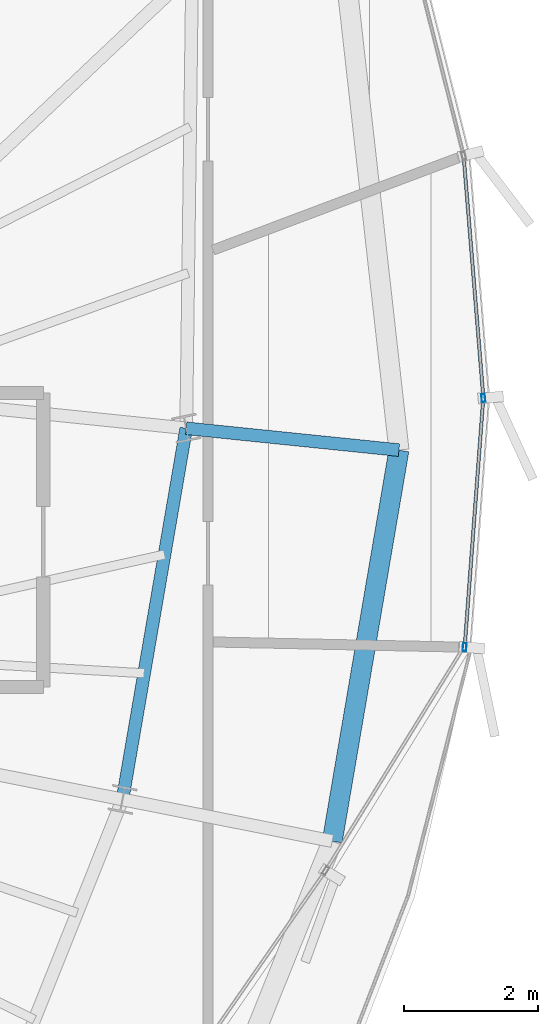
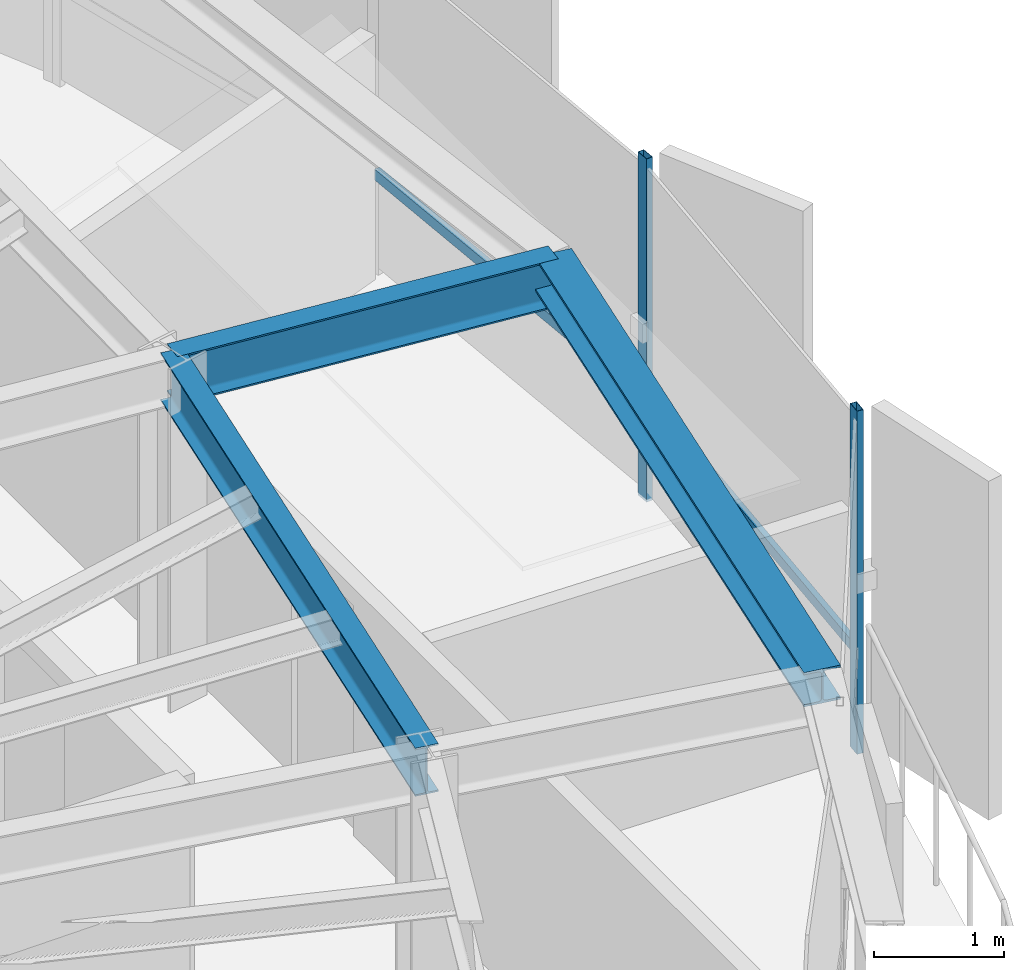
# One storey, part 15 of 30: 4 members, 3 beams, 1 element without a shape of its own.
"""IFC4 building model written with IfcOpenShell, lengths in metres."""

from ifc_helpers import new_model, si_unit, direction, frame, origin, origin_2d, place, context, subcontext, project, spatial, hollow_rectangle, i_section, extrude, source, transform, mapped, material, layer, layer_set, material_profile, profile_set, type_object, element, aggregate, save


model = new_model("IFC4")

# Units and contexts
model_context = context("Model", 3, precision=1e-05, world=origin(), true_north=direction((0.0, 1.0)))
body_context = subcontext(model_context, "Body", "Model", "MODEL_VIEW")
ifc_project = project(units=[si_unit("LENGTHUNIT", "METRE"), si_unit("AREAUNIT", "SQUARE_METRE"), si_unit("VOLUMEUNIT", "CUBIC_METRE"), si_unit("PLANEANGLEUNIT", "RADIAN"), si_unit("MASSUNIT", "GRAM", prefix="KILO"), si_unit("THERMODYNAMICTEMPERATUREUNIT", "KELVIN")], contexts=[model_context])

# Site, building, storey
site_placement = place(None, origin())
site = spatial("IfcSite", under=ifc_project, at=site_placement, CompositionType="ELEMENT")
building_placement = place(site_placement, origin())
building = spatial("IfcBuilding", under=site, at=building_placement, Name="Kethvar Cultural Tower", CompositionType="ELEMENT")
storey_placement = place(building_placement, frame((0.0, 0.0, 293.949951171875)))
storey = spatial("IfcBuildingStorey", under=building, at=storey_placement, Name="L78", CompositionType="ELEMENT", Elevation=293.949951171875)

# Beams
ifc_material_1 = material(Name="Steel S355J2", Category="steel")
ifc_material_profile_1 = material_profile(ifc_material_1, i_section(OverallWidth=0.18994140625, OverallDepth=0.449951171875, WebThickness=0.009521484375, FlangeThickness=0.0146484375, FilletRadius=0.02099609375, at=origin_2d()), Name="Steel S355J2 — IPE450")
ifc_profile_set_1 = profile_set([ifc_material_profile_1], Name="Steel S355J2 — IPE450")
beam_type_1 = type_object("IfcBeamType", Name="BM-IPE450", PredefinedType="BEAM", material=ifc_profile_set_1)
shared_shape_1 = source(origin(), body_context, "Body", "SweptSolid", [
    extrude(i_section(OverallWidth=0.18994140625, OverallDepth=0.449951171875, WebThickness=0.009521484375, FlangeThickness=0.0146484375, FilletRadius=0.02099609375, at=origin_2d()), origin(), (0.0, 0.0, 1.0), 3.199951171875),
])
beam_1_placement = place(storey_placement, frame((61.237060546875, 30.671630859375, 2.983154296875), z_axis=(0.994784019447, -0.10200369921, 0.0), x_axis=(0.10200369921, 0.994784019447, 0.0)))
element("IfcBeam", 1, at=beam_1_placement, inside=storey, type_object=beam_type_1, Name="L78 Perimeter Cantilever Beam RC-01", PredefinedType="BEAM", context=body_context, shape_type="MappedRepresentation", body=[
    mapped(shared_shape_1, transform((0.0, 0.0, 0.0), scale=1.0)),
])
shared_shape_2 = source(origin(), body_context, "Body", "SweptSolid", [
    extrude(i_section(OverallWidth=0.18994140625, OverallDepth=0.449951171875, WebThickness=0.009521484375, FlangeThickness=0.0146484375, FilletRadius=0.02099609375, at=origin_2d()), origin(), (0.0, 0.0, 1.0), 5.635009765625),
])
beam_2_placement = place(storey_placement, frame((60.28369140625, 25.117919921875, 2.983154296875), z_axis=(0.169188687614, 0.985583678834, 0.0), x_axis=(-0.985583678834, 0.169188687614, 0.0)))
element("IfcBeam", 2, at=beam_2_placement, inside=storey, type_object=beam_type_1, Name="L78 Column Ring Tie Beam CR-16", PredefinedType="BEAM", context=body_context, shape_type="MappedRepresentation", body=[
    mapped(shared_shape_2, transform((0.0, 0.0, 0.0), scale=1.0)),
])
ifc_material_profile_2 = material_profile(ifc_material_1, i_section(OverallWidth=0.300048828125, OverallDepth=0.320068359375, WebThickness=0.011474609375, FlangeThickness=0.0205078125, FilletRadius=0.027099609375, at=origin_2d()), Name="Steel S355J2 — HEB320")
ifc_profile_set_2 = profile_set([ifc_material_profile_2], Name="Steel S355J2 — HEB320")
beam_type_2 = type_object("IfcBeamType", Name="BM-SP320", PredefinedType="SPANDREL", material=ifc_profile_set_2)
shared_shape_3 = source(origin(), body_context, "Body", "SweptSolid", [
    extrude(i_section(OverallWidth=0.300048828125, OverallDepth=0.320068359375, WebThickness=0.011474609375, FlangeThickness=0.0205078125, FilletRadius=0.027099609375, at=origin_2d()), origin(), (0.0, 0.0, 1.0), 5.93603515625),
])
beam_3_placement = place(storey_placement, frame((63.422119140625, 24.49365234375, 3.048095703125), z_axis=(0.16817267321, 0.985757552335, 0.0), x_axis=(-0.985757552335, 0.16817267321, 0.0)))
element("IfcBeam", 3, at=beam_3_placement, inside=storey, type_object=beam_type_2, Name="L78 Perimeter Spandrel Beam SP-16", PredefinedType="SPANDREL", context=body_context, shape_type="MappedRepresentation", body=[
    mapped(shared_shape_3, transform((0.0, 0.0, 0.0), scale=1.0)),
])

# Curtain wall, members
ifc_material_2 = material(Name="Aluminium 6063-T6", Category="aluminium")
ifc_layer = layer(ifc_material_2, 0.179931640625, Name="Aluminium 6063-T6", Category="aluminium")
ifc_layer_set = layer_set([ifc_layer], Name="Aluminium 6063-T6 (180 mm)")
curtain_wall_type = type_object("IfcCurtainWallType", Name="CW-SYS-05-Z56", PredefinedType="NOTDEFINED", material=ifc_layer_set)
curtain_wall_placement = place(storey_placement, origin())
curtain_wall = element("IfcCurtainWall", 4, at=curtain_wall_placement, inside=storey, type_object=curtain_wall_type, Name="L78 Curtain Wall Run 06", PredefinedType="NOTDEFINED")
ifc_material_profile_3 = material_profile(ifc_material_2, hollow_rectangle(XDim=0.054931640625, YDim=0.1201171875, WallThickness=0.00390625, at=origin_2d()), Name="Aluminium 6063-T6 — RHS120x55x4")
ifc_profile_set_3 = profile_set([ifc_material_profile_3], Name="Aluminium 6063-T6 — RHS120x55x4")
member_type_1 = type_object("IfcMemberType", Name="CW-SYS-05-Z56-MUL", PredefinedType="MULLION", material=ifc_profile_set_3)
shared_shape_4 = source(origin(), body_context, "Body", "SweptSolid", [
    extrude(hollow_rectangle(XDim=0.054931640625, YDim=0.1201171875, WallThickness=0.00390625, at=origin_2d()), origin(), (0.0, 0.0, 1.0), 3.2099609375),
])
member_1_placement = place(storey_placement, frame((65.403564453125, 27.396240234375, 0.0), z_axis=(0.0, 0.0, 1.0), x_axis=(-0.997212547684, 0.074613234358, 0.0)))
member_1 = element("IfcMember", 5, at=member_1_placement, type_object=member_type_1, Name="CW-L78-R06 Mullion 4", PredefinedType="MULLION", context=body_context, shape_type="MappedRepresentation", body=[
    mapped(shared_shape_4, transform((0.0, 0.0, 0.0), scale=1.0)),
])
member_2_placement = place(storey_placement, frame((65.68359375, 31.124267578125, 0.0), z_axis=(0.0, 0.0, 1.0), x_axis=(-0.996701433778, -0.081155726265, 0.0)))
member_2 = element("IfcMember", 6, at=member_2_placement, type_object=member_type_1, Name="CW-L78-R06 Mullion 5", PredefinedType="MULLION", context=body_context, shape_type="MappedRepresentation", body=[
    mapped(shared_shape_4, transform((0.0, 0.0, 0.0), scale=1.0)),
])
ifc_material_profile_4 = material_profile(ifc_material_2, hollow_rectangle(XDim=0.050048828125, YDim=0.10009765625, WallThickness=0.00390625, at=origin_2d()), Name="Aluminium 6063-T6 — RHS100x50x4")
ifc_profile_set_4 = profile_set([ifc_material_profile_4], Name="Aluminium 6063-T6 — RHS100x50x4")
member_type_2 = type_object("IfcMemberType", Name="CW-SYS-05-Z56-TRN", PredefinedType="USERDEFINED", material=ifc_profile_set_4)
shared_shape_5 = source(origin(), body_context, "Body", "SweptSolid", [
    extrude(hollow_rectangle(XDim=0.050048828125, YDim=0.10009765625, WallThickness=0.00390625, at=origin_2d()), origin(), (0.0, 0.0, 1.0), 3.6748046875),
])
member_3_placement = place(storey_placement, frame((65.406494140625, 27.435791015625, 0.949951171875), z_axis=(0.074608268375, 0.997212919235, 0.0), x_axis=(-0.997212919235, 0.074608268375, 0.0)))
member_3 = element("IfcMember", 7, at=member_3_placement, type_object=member_type_2, Name="CW-L78-R06 Transom 4", ObjectType="TRANSOM", PredefinedType="USERDEFINED", context=body_context, shape_type="MappedRepresentation", body=[
    mapped(shared_shape_5, transform((0.0, 0.0, 0.0), scale=1.0)),
])
shared_shape_6 = source(origin(), body_context, "Body", "SweptSolid", [
    extrude(hollow_rectangle(XDim=0.050048828125, YDim=0.10009765625, WallThickness=0.00390625, at=origin_2d()), origin(), (0.0, 0.0, 1.0), 3.574951171875),
])
member_4_placement = place(storey_placement, frame((65.680419921875, 31.163818359375, 0.949951171875), z_axis=(-0.081197258162, 0.996698051201, 0.0), x_axis=(-0.996698051201, -0.081197258162, 0.0)))
member_4 = element("IfcMember", 8, at=member_4_placement, type_object=member_type_2, Name="CW-L78-R06 Transom 5", ObjectType="TRANSOM", PredefinedType="USERDEFINED", context=body_context, shape_type="MappedRepresentation", body=[
    mapped(shared_shape_6, transform((0.0, 0.0, 0.0), scale=1.0)),
])
aggregate(curtain_wall, [member_1, member_2, member_3, member_4])

save(model, "model.ifc")
